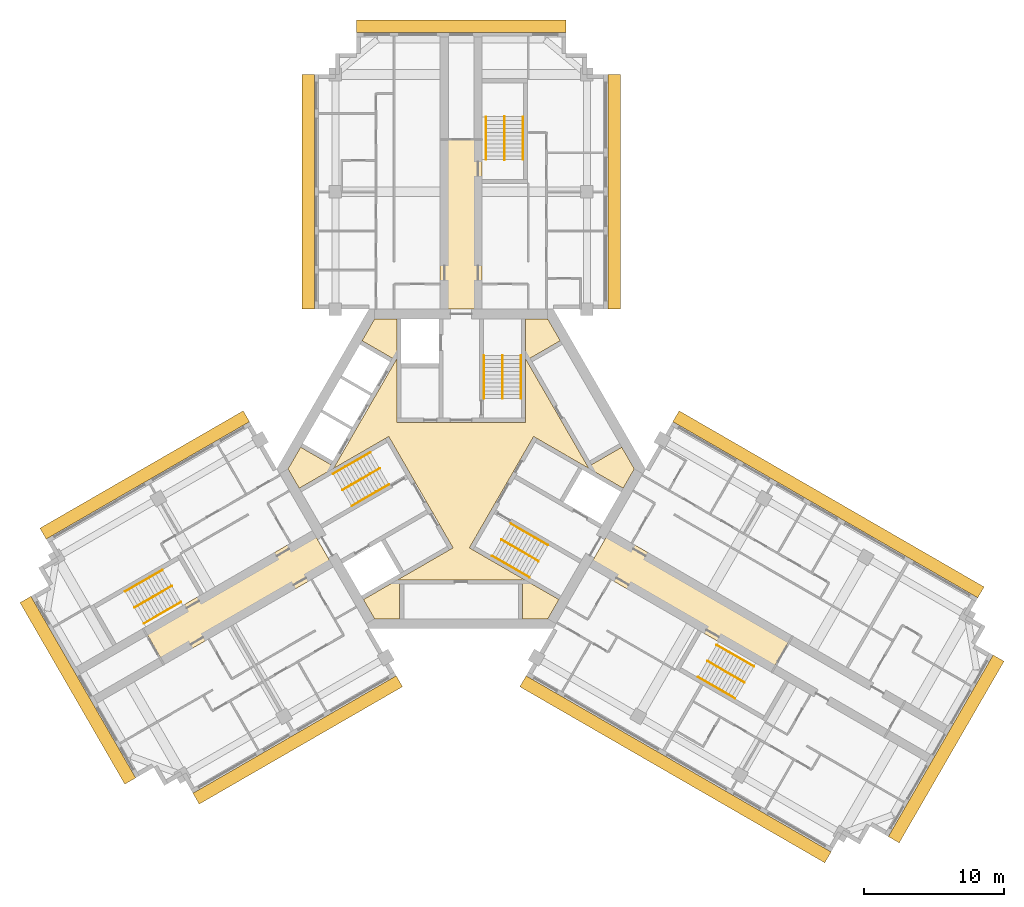
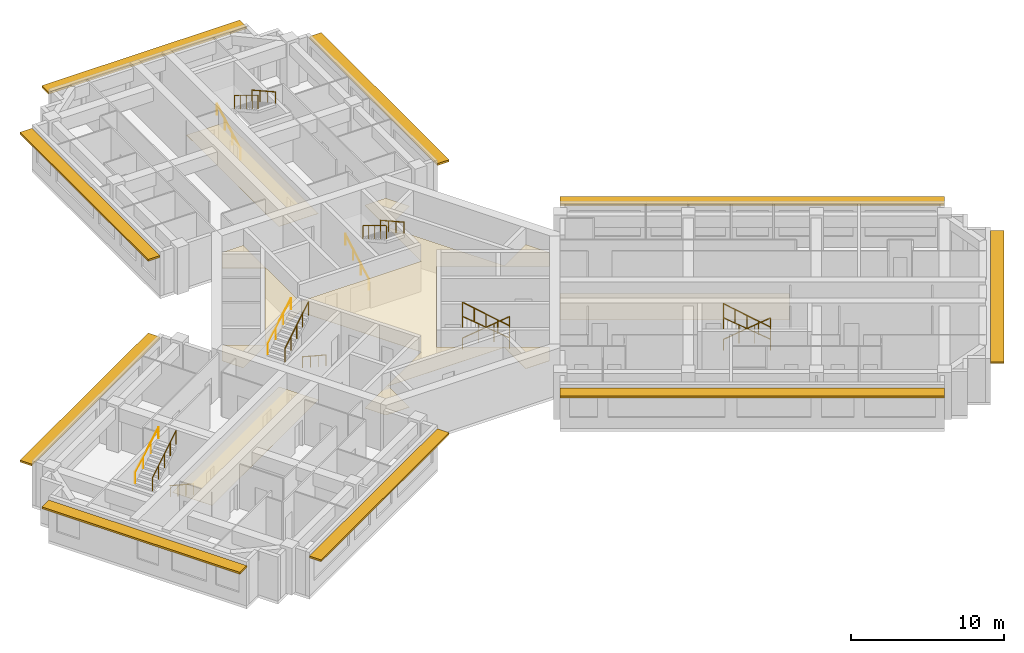
# One storey, part 10 of 10: 18 railings, 4 coverings, 3 shading devices.
"""IFC4 building model written with IfcOpenShell, lengths in metres."""

from ifc_helpers import new_model, si_unit, direction, frame, origin, origin_2d, place, context, subcontext, project, spatial, polyline, rectangle, circle, outline, extrude, material, layer, layer_set, type_object, element, save


model = new_model("IFC4")

# Units and contexts
model_context = context("Model", 3, precision=1e-05, world=origin(), true_north=direction((0.0, 1.0)))
body_context = subcontext(model_context, "Body", "Model", "MODEL_VIEW")
ifc_project = project(units=[si_unit("LENGTHUNIT", "METRE"), si_unit("AREAUNIT", "SQUARE_METRE"), si_unit("VOLUMEUNIT", "CUBIC_METRE"), si_unit("PLANEANGLEUNIT", "RADIAN"), si_unit("MASSUNIT", "GRAM", prefix="KILO")], contexts=[model_context])

# Site, building, storey
site_placement = place(None, origin())
site = spatial("IfcSite", under=ifc_project, at=site_placement, CompositionType="ELEMENT")
building_placement = place(site_placement, origin())
building = spatial("IfcBuilding", under=site, at=building_placement, Name="Impinga Residences", CompositionType="ELEMENT")
storey_placement = place(building_placement, frame((0.0, 0.0, 233.5)))
storey = spatial("IfcBuildingStorey", under=building, at=storey_placement, Name="L58", CompositionType="ELEMENT", Elevation=233.5)

# Coverings
ifc_material_1 = material(Name="Plasterboard 15 mm on steel hangers", Category="steel")
ifc_layer_1 = layer(ifc_material_1, 0.014892578125)
ifc_layer_set_1 = layer_set([ifc_layer_1], Name="Plasterboard 15 mm on steel hangers")
covering_type_1 = type_object("IfcCoveringType", Name="CL1 corridor ceiling, 15 mm plasterboard on hangers", PredefinedType="CEILING", material=ifc_layer_set_1)
covering_1_placement = place(storey_placement, frame((0.0, 0.0, 2.39990234375)))
element("IfcCovering", 1, at=covering_1_placement, inside=storey, type_object=covering_type_1, Name="Corridor ceiling CL1 L58-N00", PredefinedType="CEILING", context=body_context, shape_type="SweptSolid", body=[
    extrude(outline(polyline([(-1.5, 11.431640625), (1.5, 11.431640625), (1.5, 23.531494140625), (-1.5, 23.531494140625), (-1.5, 11.431640625)])), origin(), (0.0, 0.0, 1.0), 0.01513671875),
])
covering_2_placement = place(storey_placement, frame((0.0, 0.0, 2.39990234375)))
element("IfcCovering", 2, at=covering_2_placement, inside=storey, type_object=covering_type_1, Name="Corridor ceiling CL1 L58-W00", PredefinedType="CEILING", context=body_context, shape_type="SweptSolid", body=[
    extrude(outline(polyline([(-9.14990234375, -7.014892578125), (-10.64990234375, -4.416748046875), (-22.73095703125, -11.391845703125), (-21.23095703125, -13.98974609375), (-9.14990234375, -7.014892578125)])), origin(), (0.0, 0.0, 1.0), 0.01513671875),
])
covering_3_placement = place(storey_placement, frame((0.0, 0.0, 2.39990234375)))
element("IfcCovering", 3, at=covering_3_placement, inside=storey, type_object=covering_type_1, Name="Corridor ceiling CL1 L58-E00", PredefinedType="CEILING", context=body_context, shape_type="SweptSolid", body=[
    extrude(outline(polyline([(9.14990234375, -7.014892578125), (10.64990234375, -4.416748046875), (23.681396484375, -11.9404296875), (22.181396484375, -14.53857421875), (9.14990234375, -7.014892578125)])), origin(), (0.0, 0.0, 1.0), 0.01513671875),
])
ifc_material_2 = material(Name="Mineral fibre tiles 20 mm on exposed grid", Category="mineral fibre")
ifc_layer_2 = layer(ifc_material_2, 0.02001953125)
ifc_layer_set_2 = layer_set([ifc_layer_2], Name="CL2 lift lobby ceiling, 20 mm mineral fibre tiles")
covering_type_2 = type_object("IfcCoveringType", Name="CL2 lift lobby ceiling, 20 mm mineral fibre tiles", PredefinedType="CEILING", material=ifc_layer_set_2)
covering_4_placement = place(storey_placement, frame((0.0, 0.0, 2.39990234375)))
element("IfcCovering", 4, at=covering_4_placement, inside=storey, type_object=covering_type_2, Name="Lift lobby ceiling CL2 L58-C01", PredefinedType="CEILING", context=body_context, shape_type="SweptSolid", body=[
    extrude(outline(polyline([(12.3916015625, 0.0), (11.59375, -1.382080078125), (5.183837890625, 2.318603515625), (0.583984375, -5.648681640625), (6.993896484375, -9.349365234375), (6.19580078125, -10.7314453125), (4.39990234375, -10.7314453125), (4.39990234375, -7.931640625), (-4.39990234375, -7.931640625), (-4.39990234375, -10.7314453125), (-6.19580078125, -10.7314453125), (-6.993896484375, -9.349365234375), (-0.583984375, -5.648681640625), (-5.183837890625, 2.318603515625), (-11.59375, -1.382080078125), (-12.3916015625, 0.0), (-11.493896484375, 1.55517578125), (-9.06884765625, 0.1552734375), (-4.6689453125, 7.7763671875), (-7.09375, 9.17626953125), (-6.19580078125, 10.7314453125), (-4.60009765625, 10.7314453125), (-4.60009765625, 3.330078125), (4.60009765625, 3.330078125), (4.60009765625, 10.7314453125), (6.19580078125, 10.7314453125), (7.09375, 9.17626953125), (4.6689453125, 7.7763671875), (9.06884765625, 0.1552734375), (11.493896484375, 1.55517578125), (12.3916015625, 0.0)])), origin(), (0.0, 0.0, 1.0), 0.02001953125),
])

# Railings
ifc_material_3 = material(Name="Steel guard, powder coated", Category="steel")
railing_type_1 = type_object("IfcRailingType", Name="GR1 stair guard 1100", PredefinedType="GUARDRAIL", material=ifc_material_3)
railing_1_placement = place(storey_placement, frame((2.949951171875, 8.110107421875, 1.875)))
element("IfcRailing", 5, at=railing_1_placement, inside=storey, type_object=railing_type_1, Name="Stair guard GR1 ST1 L58", PredefinedType="GUARDRAIL", context=body_context, shape_type="SweptSolid", body=[
    extrude(circle(Radius=0.02392578125, at=origin_2d()), frame((0.0, 0.0, 1.076171875), z_axis=(0.0, -0.854177636135, 0.519981313056), x_axis=(1.0, 0.0, 0.0)), (0.0, 0.0, 1.0), 3.60595703125),
    extrude(circle(Radius=0.02099609375, at=origin_2d()), origin(), (0.0, 0.0, 1.0), 1.052001953125),
    extrude(circle(Radius=0.02099609375, at=origin_2d()), frame((0.0, -0.77001953125, 0.46875)), (0.0, 0.0, 1.0), 1.052001953125),
    extrude(circle(Radius=0.02099609375, at=origin_2d()), frame((0.0, -1.5400390625, 0.9375)), (0.0, 0.0, 1.0), 1.052001953125),
    extrude(circle(Radius=0.02099609375, at=origin_2d()), frame((0.0, -2.31005859375, 1.40625)), (0.0, 0.0, 1.0), 1.052001953125),
    extrude(circle(Radius=0.02099609375, at=origin_2d()), frame((0.0, -3.080078125, 1.875)), (0.0, 0.0, 1.0), 1.052001953125),
])
railing_2_placement = place(storey_placement, frame((-8.49853515625, -1.500244140625, 1.875)))
element("IfcRailing", 6, at=railing_2_placement, inside=storey, type_object=railing_type_1, Name="Stair guard GR1 ST2 L58", PredefinedType="GUARDRAIL", context=body_context, shape_type="SweptSolid", body=[
    extrude(circle(Radius=0.02392578125, at=origin_2d()), frame((0.0, 0.0, 1.076171875), z_axis=(0.739746383972, 0.427084037168, 0.519975492303), x_axis=(-0.499992328818, 0.866029832698, 0.0)), (0.0, 0.0, 1.0), 3.60595703125),
    extrude(circle(Radius=0.02099609375, at=origin_2d()), origin(), (0.0, 0.0, 1.0), 1.052001953125),
    extrude(circle(Radius=0.02099609375, at=origin_2d()), frame((0.6669921875, 0.385009765625, 0.46875)), (0.0, 0.0, 1.0), 1.052001953125),
    extrude(circle(Radius=0.02099609375, at=origin_2d()), frame((1.333740234375, 0.77001953125, 0.9375)), (0.0, 0.0, 1.0), 1.052001953125),
    extrude(circle(Radius=0.02099609375, at=origin_2d()), frame((2.00048828125, 1.155029296875, 1.40625)), (0.0, 0.0, 1.0), 1.052001953125),
    extrude(circle(Radius=0.02099609375, at=origin_2d()), frame((2.66748046875, 1.5400390625, 1.875)), (0.0, 0.0, 1.0), 1.052001953125),
])
railing_3_placement = place(storey_placement, frame((5.548583984375, -6.60986328125, 1.875)))
element("IfcRailing", 7, at=railing_3_placement, inside=storey, type_object=railing_type_1, Name="Stair guard GR1 ST3 L58", PredefinedType="GUARDRAIL", context=body_context, shape_type="SweptSolid", body=[
    extrude(circle(Radius=0.02392578125, at=origin_2d()), frame((0.0, 0.0, 1.076171875), z_axis=(-0.739746383972, 0.427084037168, 0.519975492303), x_axis=(-0.499992328818, -0.866029832698, 0.0)), (0.0, 0.0, 1.0), 3.60595703125),
    extrude(circle(Radius=0.02099609375, at=origin_2d()), origin(), (0.0, 0.0, 1.0), 1.052001953125),
    extrude(circle(Radius=0.02099609375, at=origin_2d()), frame((-0.6669921875, 0.385009765625, 0.46875)), (0.0, 0.0, 1.0), 1.052001953125),
    extrude(circle(Radius=0.02099609375, at=origin_2d()), frame((-1.333740234375, 0.77001953125, 0.9375)), (0.0, 0.0, 1.0), 1.052001953125),
    extrude(circle(Radius=0.02099609375, at=origin_2d()), frame((-2.00048828125, 1.155029296875, 1.40625)), (0.0, 0.0, 1.0), 1.052001953125),
    extrude(circle(Radius=0.02099609375, at=origin_2d()), frame((-2.66748046875, 1.5400390625, 1.875)), (0.0, 0.0, 1.0), 1.052001953125),
])
railing_4_placement = place(storey_placement, frame((3.10009765625, 25.21142578125, 1.875)))
element("IfcRailing", 8, at=railing_4_placement, inside=storey, type_object=railing_type_1, Name="Stair guard GR1 WS1 L58", PredefinedType="GUARDRAIL", context=body_context, shape_type="SweptSolid", body=[
    extrude(circle(Radius=0.02392578125, at=origin_2d()), frame((0.0, 0.0, 1.076171875), z_axis=(0.0, -0.854159328187, 0.520011386482), x_axis=(1.0, 0.0, 0.0)), (0.0, 0.0, 1.0), 3.605712890625),
    extrude(circle(Radius=0.02099609375, at=origin_2d()), origin(), (0.0, 0.0, 1.0), 1.052001953125),
    extrude(circle(Radius=0.02099609375, at=origin_2d()), frame((0.0, -0.77001953125, 0.46875)), (0.0, 0.0, 1.0), 1.052001953125),
    extrude(circle(Radius=0.02099609375, at=origin_2d()), frame((0.0, -1.5400390625, 0.9375)), (0.0, 0.0, 1.0), 1.052001953125),
    extrude(circle(Radius=0.02099609375, at=origin_2d()), frame((0.0, -2.309814453125, 1.40625)), (0.0, 0.0, 1.0), 1.052001953125),
    extrude(circle(Radius=0.02099609375, at=origin_2d()), frame((0.0, -3.079833984375, 1.875)), (0.0, 0.0, 1.0), 1.052001953125),
])
railing_5_placement = place(storey_placement, frame((-23.3837890625, -9.921142578125, 1.875)))
element("IfcRailing", 9, at=railing_5_placement, inside=storey, type_object=railing_type_1, Name="Stair guard GR1 WS2 L58", PredefinedType="GUARDRAIL", context=body_context, shape_type="SweptSolid", body=[
    extrude(circle(Radius=0.02392578125, at=origin_2d()), frame((0.0, 0.0, 1.076171875), z_axis=(0.739715726454, 0.427105428144, 0.52000153585), x_axis=(-0.500026652407, 0.866010015463, 0.0)), (0.0, 0.0, 1.0), 3.605712890625),
    extrude(circle(Radius=0.02099609375, at=origin_2d()), origin(), (0.0, 0.0, 1.0), 1.052001953125),
    extrude(circle(Radius=0.02099609375, at=origin_2d()), frame((0.666748046875, 0.385009765625, 0.46875)), (0.0, 0.0, 1.0), 1.052001953125),
    extrude(circle(Radius=0.02099609375, at=origin_2d()), frame((1.33349609375, 0.77001953125, 0.9375)), (0.0, 0.0, 1.0), 1.052001953125),
    extrude(circle(Radius=0.02099609375, at=origin_2d()), frame((2.00048828125, 1.155029296875, 1.40625)), (0.0, 0.0, 1.0), 1.052001953125),
    extrude(circle(Radius=0.02099609375, at=origin_2d()), frame((2.667236328125, 1.5400390625, 1.875)), (0.0, 0.0, 1.0), 1.052001953125),
])
railing_6_placement = place(storey_placement, frame((20.283935546875, -15.29052734375, 1.875)))
element("IfcRailing", 10, at=railing_6_placement, inside=storey, type_object=railing_type_1, Name="Stair guard GR1 WS3 L58", PredefinedType="GUARDRAIL", context=body_context, shape_type="SweptSolid", body=[
    extrude(circle(Radius=0.02392578125, at=origin_2d()), frame((0.0, 0.0, 1.076171875), z_axis=(-0.739746383972, 0.427084037168, 0.519975492303), x_axis=(-0.499992328818, -0.866029832698, 0.0)), (0.0, 0.0, 1.0), 3.60595703125),
    extrude(circle(Radius=0.02099609375, at=origin_2d()), origin(), (0.0, 0.0, 1.0), 1.052001953125),
    extrude(circle(Radius=0.02099609375, at=origin_2d()), frame((-0.6669921875, 0.385009765625, 0.46875)), (0.0, 0.0, 1.0), 1.052001953125),
    extrude(circle(Radius=0.02099609375, at=origin_2d()), frame((-1.333740234375, 0.77001953125, 0.9375)), (0.0, 0.0, 1.0), 1.052001953125),
    extrude(circle(Radius=0.02099609375, at=origin_2d()), frame((-2.00048828125, 1.155029296875, 1.40625)), (0.0, 0.0, 1.0), 1.052001953125),
    extrude(circle(Radius=0.02099609375, at=origin_2d()), frame((-2.66748046875, 1.5400390625, 1.875)), (0.0, 0.0, 1.0), 1.052001953125),
])
ifc_material_4 = material(Name="Steel handrail tube 42 mm, powder coated", Category="steel")
railing_type_2 = type_object("IfcRailingType", Name="HR1 stair handrail, 42 mm steel tube, 900 above the pitch line", PredefinedType="HANDRAIL", material=ifc_material_4)
railing_7_placement = place(storey_placement, frame((1.62109375, 5.030029296875, 0.15625)))
element("IfcRailing", 11, at=railing_7_placement, inside=storey, type_object=railing_type_2, Name="Stair handrail HR1 ST1 L58", PredefinedType="HANDRAIL", context=body_context, shape_type="SweptSolid", body=[
    extrude(circle(Radius=0.02099609375, at=origin_2d()), frame((0.0, 0.0, 0.87890625), z_axis=(0.0, 0.873241540666, 0.487287606713), x_axis=(-1.0, 0.0, 0.0)), (0.0, 0.0, 1.0), 3.527099609375),
    extrude(circle(Radius=0.012451171875, at=origin_2d()), origin(), (0.0, 0.0, 1.0), 0.85791015625),
    extrude(circle(Radius=0.012451171875, at=origin_2d()), frame((0.0, 1.026611328125, 0.572998046875)), (0.0, 0.0, 1.0), 0.85791015625),
    extrude(circle(Radius=0.012451171875, at=origin_2d()), frame((0.0, 2.053466796875, 1.145751953125)), (0.0, 0.0, 1.0), 0.85791015625),
    extrude(circle(Radius=0.012451171875, at=origin_2d()), frame((0.0, 3.080078125, 1.71875)), (0.0, 0.0, 1.0), 0.85791015625),
])
railing_8_placement = place(storey_placement, frame((4.279052734375, 8.110107421875, 2.03125)))
element("IfcRailing", 12, at=railing_8_placement, inside=storey, type_object=railing_type_2, Name="Stair handrail HR1 ST1 L58", PredefinedType="HANDRAIL", context=body_context, shape_type="SweptSolid", body=[
    extrude(circle(Radius=0.02099609375, at=origin_2d()), frame((0.0, 0.0, 0.87890625), z_axis=(0.0, -0.873241540666, 0.487287606713), x_axis=(1.0, 0.0, 0.0)), (0.0, 0.0, 1.0), 3.527099609375),
    extrude(circle(Radius=0.012451171875, at=origin_2d()), origin(), (0.0, 0.0, 1.0), 0.85791015625),
    extrude(circle(Radius=0.012451171875, at=origin_2d()), frame((0.0, -1.026611328125, 0.572998046875)), (0.0, 0.0, 1.0), 0.85791015625),
    extrude(circle(Radius=0.012451171875, at=origin_2d()), frame((0.0, -2.053466796875, 1.145751953125)), (0.0, 0.0, 1.0), 0.85791015625),
    extrude(circle(Radius=0.012451171875, at=origin_2d()), frame((0.0, -3.080078125, 1.71875)), (0.0, 0.0, 1.0), 0.85791015625),
])
railing_9_placement = place(storey_placement, frame((-5.16650390625, -1.111083984375, 0.15625)))
element("IfcRailing", 13, at=railing_9_placement, inside=storey, type_object=railing_type_2, Name="Stair handrail HR1 ST2 L58", PredefinedType="HANDRAIL", context=body_context, shape_type="SweptSolid", body=[
    extrude(circle(Radius=0.02099609375, at=origin_2d()), frame((0.0, 0.0, 0.87890625), z_axis=(-0.756255980417, -0.436615662133, 0.487281905742), x_axis=(0.499992328818, -0.866029832698, 0.0)), (0.0, 0.0, 1.0), 3.527099609375),
    extrude(circle(Radius=0.012451171875, at=origin_2d()), origin(), (0.0, 0.0, 1.0), 0.85791015625),
    extrude(circle(Radius=0.012451171875, at=origin_2d()), frame((-0.88916015625, -0.513427734375, 0.572998046875)), (0.0, 0.0, 1.0), 0.85791015625),
    extrude(circle(Radius=0.012451171875, at=origin_2d()), frame((-1.7783203125, -1.026611328125, 1.145751953125)), (0.0, 0.0, 1.0), 0.85791015625),
    extrude(circle(Radius=0.012451171875, at=origin_2d()), frame((-2.66748046875, -1.5400390625, 1.71875)), (0.0, 0.0, 1.0), 0.85791015625),
])
railing_10_placement = place(storey_placement, frame((-9.1630859375, -0.349365234375, 2.03125)))
element("IfcRailing", 14, at=railing_10_placement, inside=storey, type_object=railing_type_2, Name="Stair handrail HR1 ST2 L58", PredefinedType="HANDRAIL", context=body_context, shape_type="SweptSolid", body=[
    extrude(circle(Radius=0.02099609375, at=origin_2d()), frame((0.0, 0.0, 0.87890625), z_axis=(0.756255980417, 0.436615662133, 0.487281905742), x_axis=(-0.499992328818, 0.866029832698, 0.0)), (0.0, 0.0, 1.0), 3.527099609375),
    extrude(circle(Radius=0.012451171875, at=origin_2d()), origin(), (0.0, 0.0, 1.0), 0.85791015625),
    extrude(circle(Radius=0.012451171875, at=origin_2d()), frame((0.88916015625, 0.513427734375, 0.572998046875)), (0.0, 0.0, 1.0), 0.85791015625),
    extrude(circle(Radius=0.012451171875, at=origin_2d()), frame((1.7783203125, 1.026611328125, 1.145751953125)), (0.0, 0.0, 1.0), 0.85791015625),
    extrude(circle(Radius=0.012451171875, at=origin_2d()), frame((2.66748046875, 1.5400390625, 1.71875)), (0.0, 0.0, 1.0), 0.85791015625),
])
railing_11_placement = place(storey_placement, frame((3.545654296875, -3.9189453125, 0.15625)))
element("IfcRailing", 15, at=railing_11_placement, inside=storey, type_object=railing_type_2, Name="Stair handrail HR1 ST3 L58", PredefinedType="HANDRAIL", context=body_context, shape_type="SweptSolid", body=[
    extrude(circle(Radius=0.02099609375, at=origin_2d()), frame((0.0, 0.0, 0.87890625), z_axis=(0.756249203677, -0.436582492228, 0.487322141317), x_axis=(0.499967199496, 0.866044340336, 0.0)), (0.0, 0.0, 1.0), 3.52685546875),
    extrude(circle(Radius=0.012451171875, at=origin_2d()), origin(), (0.0, 0.0, 1.0), 0.85791015625),
    extrude(circle(Radius=0.012451171875, at=origin_2d()), frame((0.88916015625, -0.51318359375, 0.572998046875)), (0.0, 0.0, 1.0), 0.85791015625),
    extrude(circle(Radius=0.012451171875, at=origin_2d()), frame((1.778076171875, -1.026611328125, 1.145751953125)), (0.0, 0.0, 1.0), 0.85791015625),
    extrude(circle(Radius=0.012451171875, at=origin_2d()), frame((2.667236328125, -1.539794921875, 1.71875)), (0.0, 0.0, 1.0), 0.85791015625),
])
railing_12_placement = place(storey_placement, frame((4.884033203125, -7.7607421875, 2.03125)))
element("IfcRailing", 16, at=railing_12_placement, inside=storey, type_object=railing_type_2, Name="Stair handrail HR1 ST3 L58", PredefinedType="HANDRAIL", context=body_context, shape_type="SweptSolid", body=[
    extrude(circle(Radius=0.02099609375, at=origin_2d()), frame((0.0, 0.0, 0.87890625), z_axis=(-0.756255980417, 0.436615662133, 0.487281905742), x_axis=(-0.499992328818, -0.866029832698, 0.0)), (0.0, 0.0, 1.0), 3.527099609375),
    extrude(circle(Radius=0.012451171875, at=origin_2d()), origin(), (0.0, 0.0, 1.0), 0.85791015625),
    extrude(circle(Radius=0.012451171875, at=origin_2d()), frame((-0.88916015625, 0.513427734375, 0.572998046875)), (0.0, 0.0, 1.0), 0.85791015625),
    extrude(circle(Radius=0.012451171875, at=origin_2d()), frame((-1.7783203125, 1.026611328125, 1.145751953125)), (0.0, 0.0, 1.0), 0.85791015625),
    extrude(circle(Radius=0.012451171875, at=origin_2d()), frame((-2.66748046875, 1.5400390625, 1.71875)), (0.0, 0.0, 1.0), 0.85791015625),
])
railing_13_placement = place(storey_placement, frame((1.77099609375, 22.131591796875, 0.15625)))
element("IfcRailing", 17, at=railing_13_placement, inside=storey, type_object=railing_type_2, Name="Stair handrail HR1 WS1 L58", PredefinedType="HANDRAIL", context=body_context, shape_type="SweptSolid", body=[
    extrude(circle(Radius=0.02099609375, at=origin_2d()), frame((0.0, 0.0, 0.87890625), z_axis=(0.0, 0.873225103656, 0.487317061414), x_axis=(-1.0, 0.0, 0.0)), (0.0, 0.0, 1.0), 3.52685546875),
    extrude(circle(Radius=0.012451171875, at=origin_2d()), origin(), (0.0, 0.0, 1.0), 0.85791015625),
    extrude(circle(Radius=0.012451171875, at=origin_2d()), frame((0.0, 1.026611328125, 0.572998046875)), (0.0, 0.0, 1.0), 0.85791015625),
    extrude(circle(Radius=0.012451171875, at=origin_2d()), frame((0.0, 2.05322265625, 1.145751953125)), (0.0, 0.0, 1.0), 0.85791015625),
    extrude(circle(Radius=0.012451171875, at=origin_2d()), frame((0.0, 3.079833984375, 1.71875)), (0.0, 0.0, 1.0), 0.85791015625),
])
railing_14_placement = place(storey_placement, frame((4.428955078125, 25.21142578125, 2.03125)))
element("IfcRailing", 18, at=railing_14_placement, inside=storey, type_object=railing_type_2, Name="Stair handrail HR1 WS1 L58", PredefinedType="HANDRAIL", context=body_context, shape_type="SweptSolid", body=[
    extrude(circle(Radius=0.02099609375, at=origin_2d()), frame((0.0, 0.0, 0.87890625), z_axis=(0.0, -0.873225103656, 0.487317061414), x_axis=(1.0, 0.0, 0.0)), (0.0, 0.0, 1.0), 3.52685546875),
    extrude(circle(Radius=0.012451171875, at=origin_2d()), origin(), (0.0, 0.0, 1.0), 0.85791015625),
    extrude(circle(Radius=0.012451171875, at=origin_2d()), frame((0.0, -1.026611328125, 0.572998046875)), (0.0, 0.0, 1.0), 0.85791015625),
    extrude(circle(Radius=0.012451171875, at=origin_2d()), frame((0.0, -2.05322265625, 1.145751953125)), (0.0, 0.0, 1.0), 0.85791015625),
    extrude(circle(Radius=0.012451171875, at=origin_2d()), frame((0.0, -3.079833984375, 1.71875)), (0.0, 0.0, 1.0), 0.85791015625),
])
railing_15_placement = place(storey_placement, frame((-20.052001953125, -9.531982421875, 0.15625)))
element("IfcRailing", 19, at=railing_15_placement, inside=storey, type_object=railing_type_2, Name="Stair handrail HR1 WS2 L58", PredefinedType="HANDRAIL", context=body_context, shape_type="SweptSolid", body=[
    extrude(circle(Radius=0.02099609375, at=origin_2d()), frame((0.0, 0.0, 0.87890625), z_axis=(-0.756226348243, -0.436638517594, 0.487307413422), x_axis=(0.500026652407, -0.866010015463, 0.0)), (0.0, 0.0, 1.0), 3.527099609375),
    extrude(circle(Radius=0.012451171875, at=origin_2d()), origin(), (0.0, 0.0, 1.0), 0.85791015625),
    extrude(circle(Radius=0.012451171875, at=origin_2d()), frame((-0.88916015625, -0.513427734375, 0.572998046875)), (0.0, 0.0, 1.0), 0.85791015625),
    extrude(circle(Radius=0.012451171875, at=origin_2d()), frame((-1.778076171875, -1.026611328125, 1.145751953125)), (0.0, 0.0, 1.0), 0.85791015625),
    extrude(circle(Radius=0.012451171875, at=origin_2d()), frame((-2.667236328125, -1.5400390625, 1.71875)), (0.0, 0.0, 1.0), 0.85791015625),
])
railing_16_placement = place(storey_placement, frame((-24.04833984375, -8.77001953125, 2.03125)))
element("IfcRailing", 20, at=railing_16_placement, inside=storey, type_object=railing_type_2, Name="Stair handrail HR1 WS2 L58", PredefinedType="HANDRAIL", context=body_context, shape_type="SweptSolid", body=[
    extrude(circle(Radius=0.02099609375, at=origin_2d()), frame((0.0, 0.0, 0.87890625), z_axis=(0.756278834354, 0.436559638319, 0.487296631324), x_axis=(-0.499932877268, 0.866064153644, 0.0)), (0.0, 0.0, 1.0), 3.527099609375),
    extrude(circle(Radius=0.012451171875, at=origin_2d()), origin(), (0.0, 0.0, 1.0), 0.85791015625),
    extrude(circle(Radius=0.012451171875, at=origin_2d()), frame((0.88916015625, 0.51318359375, 0.572998046875)), (0.0, 0.0, 1.0), 0.85791015625),
    extrude(circle(Radius=0.012451171875, at=origin_2d()), frame((1.7783203125, 1.026611328125, 1.145751953125)), (0.0, 0.0, 1.0), 0.85791015625),
    extrude(circle(Radius=0.012451171875, at=origin_2d()), frame((2.66748046875, 1.539794921875, 1.71875)), (0.0, 0.0, 1.0), 0.85791015625),
])
railing_17_placement = place(storey_placement, frame((18.281005859375, -12.599609375, 0.15625)))
element("IfcRailing", 21, at=railing_17_placement, inside=storey, type_object=railing_type_2, Name="Stair handrail HR1 WS3 L58", PredefinedType="HANDRAIL", context=body_context, shape_type="SweptSolid", body=[
    extrude(circle(Radius=0.02099609375, at=origin_2d()), frame((0.0, 0.0, 0.87890625), z_axis=(0.756249203677, -0.436582492228, 0.487322141317), x_axis=(0.499967199496, 0.866044340336, 0.0)), (0.0, 0.0, 1.0), 3.52685546875),
    extrude(circle(Radius=0.012451171875, at=origin_2d()), origin(), (0.0, 0.0, 1.0), 0.85791015625),
    extrude(circle(Radius=0.012451171875, at=origin_2d()), frame((0.88916015625, -0.51318359375, 0.572998046875)), (0.0, 0.0, 1.0), 0.85791015625),
    extrude(circle(Radius=0.012451171875, at=origin_2d()), frame((1.778076171875, -1.026611328125, 1.145751953125)), (0.0, 0.0, 1.0), 0.85791015625),
    extrude(circle(Radius=0.012451171875, at=origin_2d()), frame((2.667236328125, -1.539794921875, 1.71875)), (0.0, 0.0, 1.0), 0.85791015625),
])
railing_18_placement = place(storey_placement, frame((19.619384765625, -16.44140625, 2.03125)))
element("IfcRailing", 22, at=railing_18_placement, inside=storey, type_object=railing_type_2, Name="Stair handrail HR1 WS3 L58", PredefinedType="HANDRAIL", context=body_context, shape_type="SweptSolid", body=[
    extrude(circle(Radius=0.02099609375, at=origin_2d()), frame((0.0, 0.0, 0.87890625), z_axis=(-0.756255980417, 0.436615662133, 0.487281905742), x_axis=(-0.499992328818, -0.866029832698, 0.0)), (0.0, 0.0, 1.0), 3.527099609375),
    extrude(circle(Radius=0.012451171875, at=origin_2d()), origin(), (0.0, 0.0, 1.0), 0.85791015625),
    extrude(circle(Radius=0.012451171875, at=origin_2d()), frame((-0.88916015625, 0.513427734375, 0.572998046875)), (0.0, 0.0, 1.0), 0.85791015625),
    extrude(circle(Radius=0.012451171875, at=origin_2d()), frame((-1.7783203125, 1.026611328125, 1.145751953125)), (0.0, 0.0, 1.0), 0.85791015625),
    extrude(circle(Radius=0.012451171875, at=origin_2d()), frame((-2.66748046875, 1.5400390625, 1.71875)), (0.0, 0.0, 1.0), 0.85791015625),
])

# Shading devices
ifc_material_5 = material(Name="Terracotta sunshade blades on aluminium brackets", Category="masonry")
ifc_layer_3 = layer(ifc_material_5, 0.14990234375)
ifc_layer_set_3 = layer_set([ifc_layer_3], Name="SS1 SUNSHADE terracotta sunshade band 900")
shading_device_type = type_object("IfcShadingDeviceType", Name="SS1 SUNSHADE terracotta sunshade band 900", PredefinedType="USERDEFINED", material=ifc_layer_set_3)
shading_device_1_placement = place(storey_placement, frame((-10.949951171875, 19.83154296875, 3.10009765625), z_axis=(0.0, 0.0, 1.0), x_axis=(0.0, 1.0, 0.0)))
element("IfcShadingDevice", 23, at=shading_device_1_placement, inside=storey, type_object=shading_device_type, Name="SUNSHADE band L58 NORTH WING", ObjectType="SUNSHADE", PredefinedType="USERDEFINED", context=body_context, shape_type="SweptSolid", body=[
    extrude(rectangle(XDim=16.800048828125, YDim=0.89990234375, at=origin_2d()), origin(), (0.0, 0.0, 1.0), 0.14990234375),
    extrude(rectangle(XDim=15.0, YDim=0.89990234375, at=origin_2d()), frame((11.85009765625, -10.949951171875, 0.0), z_axis=(0.0, 0.0, 1.0), x_axis=(0.0, -1.0, 0.0)), (0.0, 0.0, 1.0), 0.14990234375),
    extrude(rectangle(XDim=16.800048828125, YDim=0.89990234375, at=origin_2d()), frame((0.0, -21.89990234375, 0.0), z_axis=(0.0, 0.0, 1.0), x_axis=(-1.0, 0.0, 0.0)), (0.0, 0.0, 1.0), 0.14990234375),
])
shading_device_2_placement = place(storey_placement, frame((-11.69970703125, -19.398681640625, 3.10009765625), z_axis=(0.0, 0.0, 1.0), x_axis=(-0.866025403784, -0.5, 0.0)))
element("IfcShadingDevice", 24, at=shading_device_2_placement, inside=storey, type_object=shading_device_type, Name="SUNSHADE band L58 WEST WING", ObjectType="SUNSHADE", PredefinedType="USERDEFINED", context=body_context, shape_type="SweptSolid", body=[
    extrude(rectangle(XDim=16.800048828125, YDim=0.89990234375, at=origin_2d()), origin(), (0.0, 0.0, 1.0), 0.14990234375),
    extrude(rectangle(XDim=15.0, YDim=0.89990234375, at=origin_2d()), frame((11.849853515625, -10.949951171875, 0.0), z_axis=(0.0, 0.0, 1.0), x_axis=(0.0, -1.0, 0.0)), (0.0, 0.0, 1.0), 0.14990234375),
    extrude(rectangle(XDim=16.800048828125, YDim=0.89990234375, at=origin_2d()), frame((0.0, -21.89990234375, 0.0), z_axis=(0.0, 0.0, 1.0), x_axis=(-1.0, 0.0, 0.0)), (0.0, 0.0, 1.0), 0.14990234375),
])
shading_device_3_placement = place(storey_placement, frame((34.711669921875, -20.040771484375, 3.10009765625), z_axis=(0.0, 0.0, 1.0), x_axis=(-0.5, -0.866025403784, 0.0)))
element("IfcShadingDevice", 25, at=shading_device_3_placement, inside=storey, type_object=shading_device_type, Name="SUNSHADE band L58 EAST WING", ObjectType="SUNSHADE", PredefinedType="USERDEFINED", context=body_context, shape_type="SweptSolid", body=[
    extrude(rectangle(XDim=15.0, YDim=0.89990234375, at=origin_2d()), origin(), (0.0, 0.0, 1.0), 0.14990234375),
    extrude(rectangle(XDim=25.199951171875, YDim=0.89990234375, at=origin_2d()), frame((10.949951171875, -16.050048828125, 0.0), z_axis=(0.0, 0.0, 1.0), x_axis=(0.0, -1.0, 0.0)), (0.0, 0.0, 1.0), 0.14990234375),
    extrude(rectangle(XDim=25.199951171875, YDim=0.89990234375, at=origin_2d()), frame((-10.949951171875, -16.050048828125, 0.0), z_axis=(0.0, 0.0, 1.0), x_axis=(0.0, 1.0, 0.0)), (0.0, 0.0, 1.0), 0.14990234375),
])

save(model, "model.ifc")
